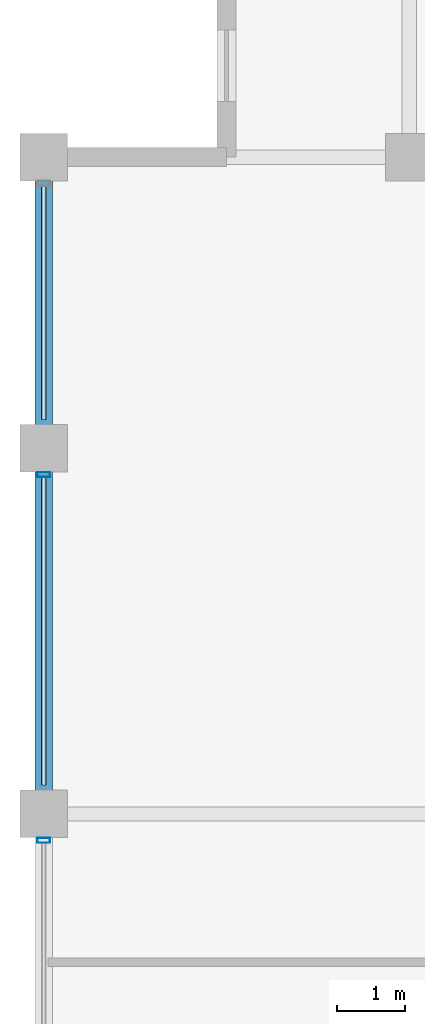
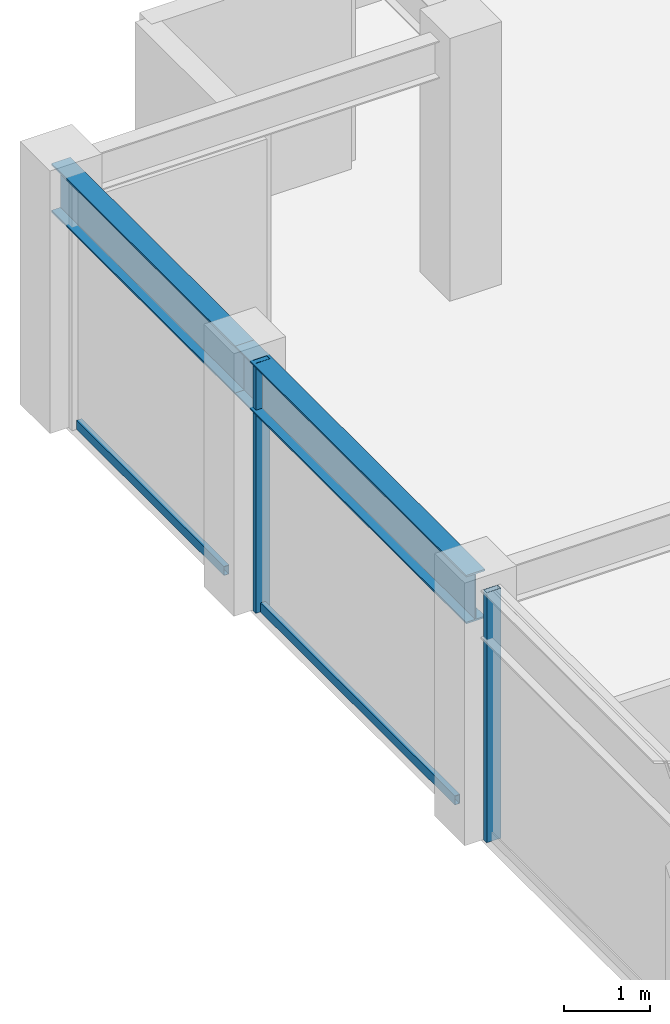
# One storey, part 14 of 31: 4 members, 2 beams, 1 element without a shape of its own.
"""IFC4 building model written with IfcOpenShell, lengths in metres."""

from ifc_helpers import new_model, si_unit, direction, frame, origin, origin_2d, place, context, subcontext, project, spatial, hollow_rectangle, i_section, extrude, material, layer, layer_set, material_profile, profile_set, type_object, element, aggregate, save


model = new_model("IFC4")

# Units and contexts
model_context = context("Model", 3, precision=1e-05, world=origin(), true_north=direction((0.0, 1.0)))
body_context = subcontext(model_context, "Body", "Model", "MODEL_VIEW")
ifc_project = project(units=[si_unit("LENGTHUNIT", "METRE"), si_unit("AREAUNIT", "SQUARE_METRE"), si_unit("VOLUMEUNIT", "CUBIC_METRE"), si_unit("PLANEANGLEUNIT", "RADIAN"), si_unit("MASSUNIT", "GRAM", prefix="KILO")], contexts=[model_context])

# Site, building, storey
site_placement = place(None, origin())
site = spatial("IfcSite", under=ifc_project, at=site_placement, CompositionType="ELEMENT")
building_placement = place(site_placement, origin())
building = spatial("IfcBuilding", under=site, at=building_placement, Name="Surkhivell Harbour Commons", CompositionType="ELEMENT")
storey_placement = place(building_placement, frame((0.0, 0.0, 285.0)))
storey = spatial("IfcBuildingStorey", under=building, at=storey_placement, Name="L74", CompositionType="ELEMENT", Elevation=285.0)

# Beams
ifc_material_1 = material(Name="Steel S355", Category="steel")
ifc_material_profile_1 = material_profile(ifc_material_1, i_section(OverallWidth=0.256103515625, OverallDepth=0.693115234375, WebThickness=0.014404296875, FlangeThickness=0.023681640625, at=origin_2d()), Name="UB686x254x170")
ifc_profile_set_1 = profile_set([ifc_material_profile_1], Name="Steel S355")
beam_type = type_object("IfcBeamType", Name="BM-SPN-686", PredefinedType="SPANDREL", material=ifc_profile_set_1)
beam_1_placement = place(storey_placement, frame((-27.0, 10.800048828125, 3.223388671875), z_axis=(0.0, 1.0, 0.0), x_axis=(-1.0, 0.0, 0.0)))
element("IfcBeam", 1, at=beam_1_placement, inside=storey, type_object=beam_type, Name="L74 Tube Spandrel (-27.0,10.8)", PredefinedType="SPANDREL", context=body_context, shape_type="SweptSolid", body=[
    extrude(i_section(OverallWidth=0.256103515625, OverallDepth=0.693115234375, WebThickness=0.014404296875, FlangeThickness=0.023681640625, at=origin_2d()), origin(), (0.0, 0.0, 1.0), 5.39990234375),
])
beam_2_placement = place(storey_placement, frame((-27.0, 16.199951171875, 3.223388671875), z_axis=(0.0, 1.0, 0.0), x_axis=(-1.0, 0.0, 0.0)))
element("IfcBeam", 2, at=beam_2_placement, inside=storey, type_object=beam_type, Name="L74 Tube Spandrel (-27.0,16.2)", PredefinedType="SPANDREL", context=body_context, shape_type="SweptSolid", body=[
    extrude(i_section(OverallWidth=0.256103515625, OverallDepth=0.693115234375, WebThickness=0.014404296875, FlangeThickness=0.023681640625, at=origin_2d()), origin(), (0.0, 0.0, 1.0), 4.300048828125),
])

# Curtain wall, members
ifc_material_2 = material(Name="Anodised pale-metal aluminium and insulated glazing", Category="aluminium")
ifc_layer = layer(ifc_material_2, 0.175048828125)
ifc_layer_set = layer_set([ifc_layer], Name="Anodised pale-metal aluminium and insulated glazing")
curtain_wall_type = type_object("IfcCurtainWallType", Name="CW-SYS-Z4", PredefinedType="NOTDEFINED", material=ifc_layer_set)
curtain_wall_placement = place(storey_placement, origin())
curtain_wall = element("IfcCurtainWall", 3, at=curtain_wall_placement, inside=storey, type_object=curtain_wall_type, Name="L74 Curtain Wall CW-L74-E12S1", PredefinedType="NOTDEFINED")
ifc_material_3 = material(Name="Anodised pale-metal aluminium alloy 6063-T6", Category="aluminium")
ifc_material_profile_2 = material_profile(ifc_material_3, hollow_rectangle(XDim=0.074951171875, YDim=0.18994140625, WallThickness=0.00390625, at=origin_2d()), Name="ALU-MULL-75x190")
ifc_profile_set_2 = profile_set([ifc_material_profile_2], Name="Anodised pale-metal aluminium alloy 6063-T6")
member_type_1 = type_object("IfcMemberType", Name="CWM-190", PredefinedType="MULLION", material=ifc_profile_set_2)
member_1_placement = place(storey_placement, frame((-27.0, 15.810546875, 0.0), z_axis=(0.0, 0.0, 1.0), x_axis=(0.0, -1.0, 0.0)))
member_1 = element("IfcMember", 4, at=member_1_placement, type_object=member_type_1, Name="CW-Z4 mullion 2", PredefinedType="MULLION", context=body_context, shape_type="SweptSolid", body=[
    extrude(hollow_rectangle(XDim=0.074951171875, YDim=0.18994140625, WallThickness=0.00390625, at=origin_2d()), origin(), (0.0, 0.0, 1.0), 3.570068359375),
])
member_2_placement = place(storey_placement, frame((-27.0, 10.410400390625, 0.0), z_axis=(0.0, 0.0, 1.0), x_axis=(0.0, -1.0, 0.0)))
member_2 = element("IfcMember", 5, at=member_2_placement, type_object=member_type_1, Name="CW-Z4 mullion 3", PredefinedType="MULLION", context=body_context, shape_type="SweptSolid", body=[
    extrude(hollow_rectangle(XDim=0.074951171875, YDim=0.18994140625, WallThickness=0.00390625, at=origin_2d()), origin(), (0.0, 0.0, 1.0), 3.570068359375),
])
ifc_material_4 = material(Name="Champagne anodised aluminium alloy 6063-T6", Category="aluminium")
ifc_material_profile_3 = material_profile(ifc_material_4, hollow_rectangle(XDim=0.070068359375, YDim=0.1298828125, WallThickness=0.00341796875, at=origin_2d()), Name="ALU-TRAN-70x130")
ifc_profile_set_3 = profile_set([ifc_material_profile_3], Name="Champagne anodised aluminium alloy 6063-T6")
member_type_2 = type_object("IfcMemberType", Name="CWT-130", PredefinedType="USERDEFINED", material=ifc_profile_set_3)
member_3_placement = place(storey_placement, frame((-27.0, 20.072998046875, 0.06494140625), z_axis=(0.0, -1.0, 0.0), x_axis=(1.0, 0.0, 0.0)))
member_3 = element("IfcMember", 6, at=member_3_placement, type_object=member_type_2, Name="CW-Z4 transom 1.1", ObjectType="TRANSOM", PredefinedType="USERDEFINED", context=body_context, shape_type="SweptSolid", body=[
    extrude(hollow_rectangle(XDim=0.070068359375, YDim=0.1298828125, WallThickness=0.00341796875, at=origin_2d()), origin(), (0.0, 0.0, 1.0), 3.446044921875),
])
member_4_placement = place(storey_placement, frame((-27.0, 15.77294921875, 0.06494140625), z_axis=(0.0, -1.0, 0.0), x_axis=(1.0, 0.0, 0.0)))
member_4 = element("IfcMember", 7, at=member_4_placement, type_object=member_type_2, Name="CW-Z4 transom 2.1", ObjectType="TRANSOM", PredefinedType="USERDEFINED", context=body_context, shape_type="SweptSolid", body=[
    extrude(hollow_rectangle(XDim=0.070068359375, YDim=0.1298828125, WallThickness=0.00341796875, at=origin_2d()), origin(), (0.0, 0.0, 1.0), 4.5458984375),
])
aggregate(curtain_wall, [member_3, member_1, member_4, member_2])

save(model, "model.ifc")
